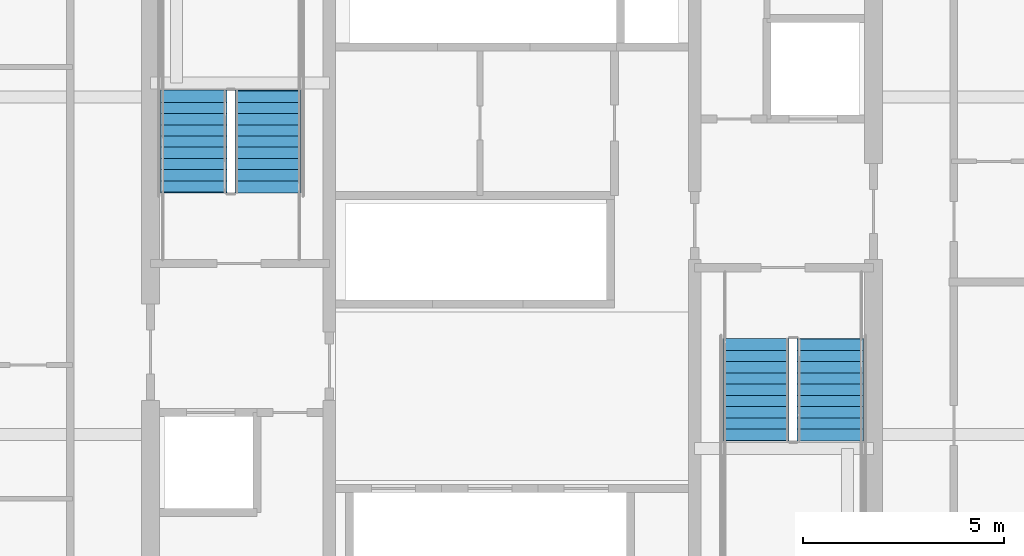
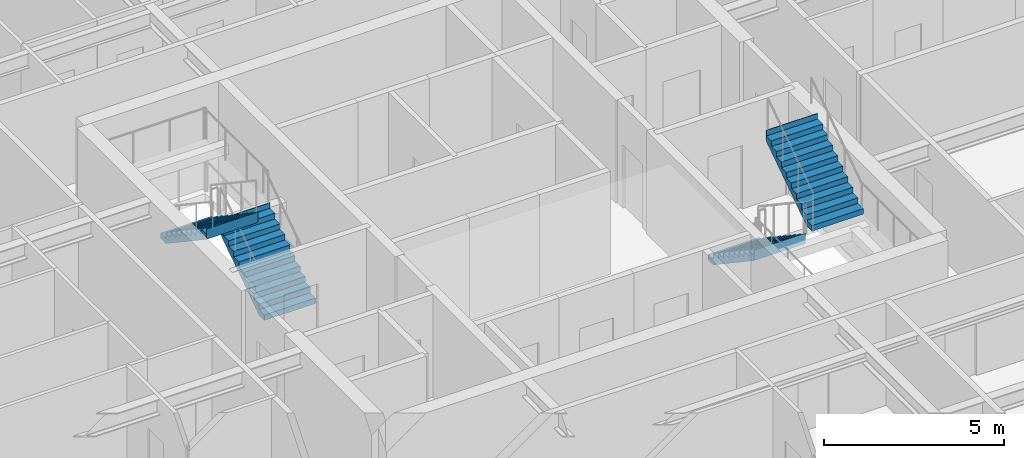
# One storey, part 32 of 38: 4 stair flights, 2 elements without a shape of their own.
"""IFC4 building model written with IfcOpenShell, lengths in metres."""

from ifc_helpers import new_model, si_unit, direction, frame, origin, place, context, subcontext, project, spatial, polygons, material, type_object, element, aggregate, save


model = new_model("IFC4")

# Units and contexts
model_context = context("Model", 3, precision=1e-05, world=origin(), true_north=direction((0.0, 1.0)))
body_context = subcontext(model_context, "Body", "Model", "MODEL_VIEW")
ifc_project = project(units=[si_unit("LENGTHUNIT", "METRE"), si_unit("AREAUNIT", "SQUARE_METRE"), si_unit("VOLUMEUNIT", "CUBIC_METRE"), si_unit("PLANEANGLEUNIT", "RADIAN"), si_unit("MASSUNIT", "GRAM", prefix="KILO")], contexts=[model_context])

# Site, building, storey
site_placement = place(None, origin())
site = spatial("IfcSite", under=ifc_project, at=site_placement, CompositionType="ELEMENT")
building_placement = place(site_placement, origin())
building = spatial("IfcBuilding", under=site, at=building_placement, Name="Serunith Strait Residences", CompositionType="ELEMENT")
storey_placement = place(building_placement, frame((0.0, 0.0, 52.949951171875)))
storey = spatial("IfcBuildingStorey", under=building, at=storey_placement, Name="L12", CompositionType="ELEMENT", Elevation=52.949951171875)

# Stair, stair flights
ifc_material = material(Name="Concrete C50/60", Category="concrete")
stair_type_1 = type_object("IfcStairType", Name="STR-CORE-1", PredefinedType="HALF_TURN_STAIR", material=ifc_material)
stair_1_placement = place(storey_placement, origin())
stair_1 = element("IfcStair", 1, at=stair_1_placement, inside=storey, type_object=stair_type_1, Name="L12 Protected Escape Stair ST-1", PredefinedType="HALF_TURN_STAIR")
stair_flight_type_1 = type_object("IfcStairFlightType", Name="FLT-CORE-1", PredefinedType="STRAIGHT", material=ifc_material)
stair_flight_1_placement = place(storey_placement, frame((26.324951171875, 27.030029296875, 0.0), z_axis=(0.0, 0.0, 1.0), x_axis=(0.0, 1.0, 0.0)))
stair_flight_1 = element("IfcStairFlight", 2, at=stair_flight_1_placement, type_object=stair_flight_type_1, Name="ST-1 flight 1", NumberOfRisers=10, NumberOfTreads=9, PredefinedType="STRAIGHT", RiserHeight=0.1875, TreadLength=0.28, context=body_context, shape_type="Tessellation", body=[
    polygons([(-0.02001953125, -0.824951171875, 0.0), (-0.02001953125, -0.824951171875, 0.1875), (0.280029296875, -0.824951171875, 0.1875), (0.280029296875, -0.824951171875, 0.375), (0.56005859375, -0.824951171875, 0.375), (0.56005859375, -0.824951171875, 0.5625), (0.840087890625, -0.824951171875, 0.5625), (0.840087890625, -0.824951171875, 0.75), (1.1201171875, -0.824951171875, 0.75), (1.1201171875, -0.824951171875, 0.9375), (1.39990234375, -0.824951171875, 0.9375), (1.39990234375, -0.824951171875, 1.125), (1.679931640625, -0.824951171875, 1.125), (1.679931640625, -0.824951171875, 1.3125), (1.9599609375, -0.824951171875, 1.3125), (1.9599609375, -0.824951171875, 1.5), (2.239990234375, -0.824951171875, 1.5), (2.239990234375, -0.824951171875, 1.6875), (2.52001953125, -0.824951171875, 1.6875), (2.52001953125, -0.824951171875, 1.875), (2.5400390625, -0.824951171875, 1.875), (2.5400390625, -0.824951171875, 1.81494140625), (2.52001953125, -0.824951171875, 1.507080078125), (0.26953125, -0.824951171875, 0.0), (-0.02001953125, -0.41259765625, 0.0), (-0.02001953125, -0.41259765625, 0.1875), (0.280029296875, -0.41259765625, 0.1875), (0.280029296875, -0.41259765625, 0.375), (0.56005859375, -0.41259765625, 0.375), (0.56005859375, -0.41259765625, 0.5625), (0.840087890625, -0.41259765625, 0.5625), (0.840087890625, -0.41259765625, 0.75), (1.1201171875, -0.41259765625, 0.75), (1.1201171875, -0.41259765625, 0.9375), (1.39990234375, -0.41259765625, 0.9375), (1.39990234375, -0.41259765625, 1.125), (1.679931640625, -0.41259765625, 1.125), (1.679931640625, -0.41259765625, 1.3125), (1.9599609375, -0.41259765625, 1.3125), (1.9599609375, -0.41259765625, 1.5), (2.239990234375, -0.41259765625, 1.5), (2.239990234375, -0.41259765625, 1.6875), (2.52001953125, -0.41259765625, 1.6875), (2.52001953125, -0.41259765625, 1.875), (2.5400390625, -0.41259765625, 1.875), (2.5400390625, -0.41259765625, 1.81494140625), (2.52001953125, -0.41259765625, 1.507080078125), (0.26953125, -0.41259765625, 0.0), (-0.02001953125, 0.0, 0.0), (-0.02001953125, 0.0, 0.1875), (0.280029296875, 0.0, 0.1875), (0.280029296875, 0.0, 0.375), (0.56005859375, 0.0, 0.375), (0.56005859375, 0.0, 0.5625), (0.840087890625, 0.0, 0.5625), (0.840087890625, 0.0, 0.75), (1.1201171875, 0.0, 0.75), (1.1201171875, 0.0, 0.9375), (1.39990234375, 0.0, 0.9375), (1.39990234375, 0.0, 1.125), (1.679931640625, 0.0, 1.125), (1.679931640625, 0.0, 1.3125), (1.9599609375, 0.0, 1.3125), (1.9599609375, 0.0, 1.5), (2.239990234375, 0.0, 1.5), (2.239990234375, 0.0, 1.6875), (2.52001953125, 0.0, 1.6875), (2.52001953125, 0.0, 1.875), (2.5400390625, 0.0, 1.875), (2.5400390625, 0.0, 1.81494140625), (2.52001953125, 0.0, 1.507080078125), (0.26953125, 0.0, 0.0), (-0.02001953125, 0.41259765625, 0.0), (-0.02001953125, 0.41259765625, 0.1875), (0.280029296875, 0.41259765625, 0.1875), (0.280029296875, 0.41259765625, 0.375), (0.56005859375, 0.41259765625, 0.375), (0.56005859375, 0.41259765625, 0.5625), (0.840087890625, 0.41259765625, 0.5625), (0.840087890625, 0.41259765625, 0.75), (1.1201171875, 0.41259765625, 0.75), (1.1201171875, 0.41259765625, 0.9375), (1.39990234375, 0.41259765625, 0.9375), (1.39990234375, 0.41259765625, 1.125), (1.679931640625, 0.41259765625, 1.125), (1.679931640625, 0.41259765625, 1.3125), (1.9599609375, 0.41259765625, 1.3125), (1.9599609375, 0.41259765625, 1.5), (2.239990234375, 0.41259765625, 1.5), (2.239990234375, 0.41259765625, 1.6875), (2.52001953125, 0.41259765625, 1.6875), (2.52001953125, 0.41259765625, 1.875), (2.5400390625, 0.41259765625, 1.875), (2.5400390625, 0.41259765625, 1.81494140625), (2.52001953125, 0.41259765625, 1.507080078125), (0.26953125, 0.41259765625, 0.0), (-0.02001953125, 0.824951171875, 0.0), (-0.02001953125, 0.824951171875, 0.1875), (0.280029296875, 0.824951171875, 0.1875), (0.280029296875, 0.824951171875, 0.375), (0.56005859375, 0.824951171875, 0.375), (0.56005859375, 0.824951171875, 0.5625), (0.840087890625, 0.824951171875, 0.5625), (0.840087890625, 0.824951171875, 0.75), (1.1201171875, 0.824951171875, 0.75), (1.1201171875, 0.824951171875, 0.9375), (1.39990234375, 0.824951171875, 0.9375), (1.39990234375, 0.824951171875, 1.125), (1.679931640625, 0.824951171875, 1.125), (1.679931640625, 0.824951171875, 1.3125), (1.9599609375, 0.824951171875, 1.3125), (1.9599609375, 0.824951171875, 1.5), (2.239990234375, 0.824951171875, 1.5), (2.239990234375, 0.824951171875, 1.6875), (2.52001953125, 0.824951171875, 1.6875), (2.52001953125, 0.824951171875, 1.875), (2.5400390625, 0.824951171875, 1.875), (2.5400390625, 0.824951171875, 1.81494140625), (2.52001953125, 0.824951171875, 1.507080078125), (0.26953125, 0.824951171875, 0.0)], [[[1, 2, 26, 25]], [[2, 3, 27, 26]], [[3, 4, 28, 27]], [[4, 5, 29, 28]], [[5, 6, 30, 29]], [[6, 7, 31, 30]], [[7, 8, 32, 31]], [[8, 9, 33, 32]], [[9, 10, 34, 33]], [[10, 11, 35, 34]], [[11, 12, 36, 35]], [[12, 13, 37, 36]], [[13, 14, 38, 37]], [[14, 15, 39, 38]], [[15, 16, 40, 39]], [[16, 17, 41, 40]], [[17, 18, 42, 41]], [[18, 19, 43, 42]], [[19, 20, 44, 43]], [[20, 21, 45, 44]], [[21, 22, 46, 45]], [[22, 23, 47, 46]], [[23, 24, 48, 47]], [[24, 1, 25, 48]], [[25, 26, 50, 49]], [[26, 27, 51, 50]], [[27, 28, 52, 51]], [[28, 29, 53, 52]], [[29, 30, 54, 53]], [[30, 31, 55, 54]], [[31, 32, 56, 55]], [[32, 33, 57, 56]], [[33, 34, 58, 57]], [[34, 35, 59, 58]], [[35, 36, 60, 59]], [[36, 37, 61, 60]], [[37, 38, 62, 61]], [[38, 39, 63, 62]], [[39, 40, 64, 63]], [[40, 41, 65, 64]], [[41, 42, 66, 65]], [[42, 43, 67, 66]], [[43, 44, 68, 67]], [[44, 45, 69, 68]], [[45, 46, 70, 69]], [[46, 47, 71, 70]], [[47, 48, 72, 71]], [[48, 25, 49, 72]], [[49, 50, 74, 73]], [[50, 51, 75, 74]], [[51, 52, 76, 75]], [[52, 53, 77, 76]], [[53, 54, 78, 77]], [[54, 55, 79, 78]], [[55, 56, 80, 79]], [[56, 57, 81, 80]], [[57, 58, 82, 81]], [[58, 59, 83, 82]], [[59, 60, 84, 83]], [[60, 61, 85, 84]], [[61, 62, 86, 85]], [[62, 63, 87, 86]], [[63, 64, 88, 87]], [[64, 65, 89, 88]], [[65, 66, 90, 89]], [[66, 67, 91, 90]], [[67, 68, 92, 91]], [[68, 69, 93, 92]], [[69, 70, 94, 93]], [[70, 71, 95, 94]], [[71, 72, 96, 95]], [[72, 49, 73, 96]], [[73, 74, 98, 97]], [[74, 75, 99, 98]], [[75, 76, 100, 99]], [[76, 77, 101, 100]], [[77, 78, 102, 101]], [[78, 79, 103, 102]], [[79, 80, 104, 103]], [[80, 81, 105, 104]], [[81, 82, 106, 105]], [[82, 83, 107, 106]], [[83, 84, 108, 107]], [[84, 85, 109, 108]], [[85, 86, 110, 109]], [[86, 87, 111, 110]], [[87, 88, 112, 111]], [[88, 89, 113, 112]], [[89, 90, 114, 113]], [[90, 91, 115, 114]], [[91, 92, 116, 115]], [[92, 93, 117, 116]], [[93, 94, 118, 117]], [[94, 95, 119, 118]], [[95, 96, 120, 119]], [[96, 73, 97, 120]], [[24, 23, 22, 21, 20, 19, 18, 17, 16, 15, 14, 13, 12, 11, 10, 9, 8, 7, 6, 5, 4, 3, 2, 1]], [[97, 98, 99, 100, 101, 102, 103, 104, 105, 106, 107, 108, 109, 110, 111, 112, 113, 114, 115, 116, 117, 118, 119, 120]]], closed=True),
])
stair_flight_2_placement = place(storey_placement, frame((24.47509765625, 29.550048828125, 1.875), z_axis=(0.0, 0.0, 1.0), x_axis=(0.0, -1.0, 0.0)))
stair_flight_2 = element("IfcStairFlight", 3, at=stair_flight_2_placement, type_object=stair_flight_type_1, Name="ST-1 flight 2", NumberOfRisers=10, NumberOfTreads=9, PredefinedType="STRAIGHT", RiserHeight=0.1875, TreadLength=0.28, context=body_context, shape_type="Tessellation", body=[
    polygons([(-0.02001953125, -0.824951171875, 0.0), (-0.02001953125, -0.824951171875, 0.1875), (0.280029296875, -0.824951171875, 0.1875), (0.280029296875, -0.824951171875, 0.375), (0.56005859375, -0.824951171875, 0.375), (0.56005859375, -0.824951171875, 0.5625), (0.840087890625, -0.824951171875, 0.5625), (0.840087890625, -0.824951171875, 0.75), (1.1201171875, -0.824951171875, 0.75), (1.1201171875, -0.824951171875, 0.9375), (1.39990234375, -0.824951171875, 0.9375), (1.39990234375, -0.824951171875, 1.125), (1.679931640625, -0.824951171875, 1.125), (1.679931640625, -0.824951171875, 1.3125), (1.9599609375, -0.824951171875, 1.3125), (1.9599609375, -0.824951171875, 1.5), (2.239990234375, -0.824951171875, 1.5), (2.239990234375, -0.824951171875, 1.6875), (2.52001953125, -0.824951171875, 1.6875), (2.52001953125, -0.824951171875, 1.875), (2.5400390625, -0.824951171875, 1.875), (2.5400390625, -0.824951171875, 1.81494140625), (2.52001953125, -0.824951171875, 1.507080078125), (0.26953125, -0.824951171875, 0.0), (-0.02001953125, -0.41259765625, 0.0), (-0.02001953125, -0.41259765625, 0.1875), (0.280029296875, -0.41259765625, 0.1875), (0.280029296875, -0.41259765625, 0.375), (0.56005859375, -0.41259765625, 0.375), (0.56005859375, -0.41259765625, 0.5625), (0.840087890625, -0.41259765625, 0.5625), (0.840087890625, -0.41259765625, 0.75), (1.1201171875, -0.41259765625, 0.75), (1.1201171875, -0.41259765625, 0.9375), (1.39990234375, -0.41259765625, 0.9375), (1.39990234375, -0.41259765625, 1.125), (1.679931640625, -0.41259765625, 1.125), (1.679931640625, -0.41259765625, 1.3125), (1.9599609375, -0.41259765625, 1.3125), (1.9599609375, -0.41259765625, 1.5), (2.239990234375, -0.41259765625, 1.5), (2.239990234375, -0.41259765625, 1.6875), (2.52001953125, -0.41259765625, 1.6875), (2.52001953125, -0.41259765625, 1.875), (2.5400390625, -0.41259765625, 1.875), (2.5400390625, -0.41259765625, 1.81494140625), (2.52001953125, -0.41259765625, 1.507080078125), (0.26953125, -0.41259765625, 0.0), (-0.02001953125, 0.0, 0.0), (-0.02001953125, 0.0, 0.1875), (0.280029296875, 0.0, 0.1875), (0.280029296875, 0.0, 0.375), (0.56005859375, 0.0, 0.375), (0.56005859375, 0.0, 0.5625), (0.840087890625, 0.0, 0.5625), (0.840087890625, 0.0, 0.75), (1.1201171875, 0.0, 0.75), (1.1201171875, 0.0, 0.9375), (1.39990234375, 0.0, 0.9375), (1.39990234375, 0.0, 1.125), (1.679931640625, 0.0, 1.125), (1.679931640625, 0.0, 1.3125), (1.9599609375, 0.0, 1.3125), (1.9599609375, 0.0, 1.5), (2.239990234375, 0.0, 1.5), (2.239990234375, 0.0, 1.6875), (2.52001953125, 0.0, 1.6875), (2.52001953125, 0.0, 1.875), (2.5400390625, 0.0, 1.875), (2.5400390625, 0.0, 1.81494140625), (2.52001953125, 0.0, 1.507080078125), (0.26953125, 0.0, 0.0), (-0.02001953125, 0.41259765625, 0.0), (-0.02001953125, 0.41259765625, 0.1875), (0.280029296875, 0.41259765625, 0.1875), (0.280029296875, 0.41259765625, 0.375), (0.56005859375, 0.41259765625, 0.375), (0.56005859375, 0.41259765625, 0.5625), (0.840087890625, 0.41259765625, 0.5625), (0.840087890625, 0.41259765625, 0.75), (1.1201171875, 0.41259765625, 0.75), (1.1201171875, 0.41259765625, 0.9375), (1.39990234375, 0.41259765625, 0.9375), (1.39990234375, 0.41259765625, 1.125), (1.679931640625, 0.41259765625, 1.125), (1.679931640625, 0.41259765625, 1.3125), (1.9599609375, 0.41259765625, 1.3125), (1.9599609375, 0.41259765625, 1.5), (2.239990234375, 0.41259765625, 1.5), (2.239990234375, 0.41259765625, 1.6875), (2.52001953125, 0.41259765625, 1.6875), (2.52001953125, 0.41259765625, 1.875), (2.5400390625, 0.41259765625, 1.875), (2.5400390625, 0.41259765625, 1.81494140625), (2.52001953125, 0.41259765625, 1.507080078125), (0.26953125, 0.41259765625, 0.0), (-0.02001953125, 0.824951171875, 0.0), (-0.02001953125, 0.824951171875, 0.1875), (0.280029296875, 0.824951171875, 0.1875), (0.280029296875, 0.824951171875, 0.375), (0.56005859375, 0.824951171875, 0.375), (0.56005859375, 0.824951171875, 0.5625), (0.840087890625, 0.824951171875, 0.5625), (0.840087890625, 0.824951171875, 0.75), (1.1201171875, 0.824951171875, 0.75), (1.1201171875, 0.824951171875, 0.9375), (1.39990234375, 0.824951171875, 0.9375), (1.39990234375, 0.824951171875, 1.125), (1.679931640625, 0.824951171875, 1.125), (1.679931640625, 0.824951171875, 1.3125), (1.9599609375, 0.824951171875, 1.3125), (1.9599609375, 0.824951171875, 1.5), (2.239990234375, 0.824951171875, 1.5), (2.239990234375, 0.824951171875, 1.6875), (2.52001953125, 0.824951171875, 1.6875), (2.52001953125, 0.824951171875, 1.875), (2.5400390625, 0.824951171875, 1.875), (2.5400390625, 0.824951171875, 1.81494140625), (2.52001953125, 0.824951171875, 1.507080078125), (0.26953125, 0.824951171875, 0.0)], [[[1, 2, 26, 25]], [[2, 3, 27, 26]], [[3, 4, 28, 27]], [[4, 5, 29, 28]], [[5, 6, 30, 29]], [[6, 7, 31, 30]], [[7, 8, 32, 31]], [[8, 9, 33, 32]], [[9, 10, 34, 33]], [[10, 11, 35, 34]], [[11, 12, 36, 35]], [[12, 13, 37, 36]], [[13, 14, 38, 37]], [[14, 15, 39, 38]], [[15, 16, 40, 39]], [[16, 17, 41, 40]], [[17, 18, 42, 41]], [[18, 19, 43, 42]], [[19, 20, 44, 43]], [[20, 21, 45, 44]], [[21, 22, 46, 45]], [[22, 23, 47, 46]], [[23, 24, 48, 47]], [[24, 1, 25, 48]], [[25, 26, 50, 49]], [[26, 27, 51, 50]], [[27, 28, 52, 51]], [[28, 29, 53, 52]], [[29, 30, 54, 53]], [[30, 31, 55, 54]], [[31, 32, 56, 55]], [[32, 33, 57, 56]], [[33, 34, 58, 57]], [[34, 35, 59, 58]], [[35, 36, 60, 59]], [[36, 37, 61, 60]], [[37, 38, 62, 61]], [[38, 39, 63, 62]], [[39, 40, 64, 63]], [[40, 41, 65, 64]], [[41, 42, 66, 65]], [[42, 43, 67, 66]], [[43, 44, 68, 67]], [[44, 45, 69, 68]], [[45, 46, 70, 69]], [[46, 47, 71, 70]], [[47, 48, 72, 71]], [[48, 25, 49, 72]], [[49, 50, 74, 73]], [[50, 51, 75, 74]], [[51, 52, 76, 75]], [[52, 53, 77, 76]], [[53, 54, 78, 77]], [[54, 55, 79, 78]], [[55, 56, 80, 79]], [[56, 57, 81, 80]], [[57, 58, 82, 81]], [[58, 59, 83, 82]], [[59, 60, 84, 83]], [[60, 61, 85, 84]], [[61, 62, 86, 85]], [[62, 63, 87, 86]], [[63, 64, 88, 87]], [[64, 65, 89, 88]], [[65, 66, 90, 89]], [[66, 67, 91, 90]], [[67, 68, 92, 91]], [[68, 69, 93, 92]], [[69, 70, 94, 93]], [[70, 71, 95, 94]], [[71, 72, 96, 95]], [[72, 49, 73, 96]], [[73, 74, 98, 97]], [[74, 75, 99, 98]], [[75, 76, 100, 99]], [[76, 77, 101, 100]], [[77, 78, 102, 101]], [[78, 79, 103, 102]], [[79, 80, 104, 103]], [[80, 81, 105, 104]], [[81, 82, 106, 105]], [[82, 83, 107, 106]], [[83, 84, 108, 107]], [[84, 85, 109, 108]], [[85, 86, 110, 109]], [[86, 87, 111, 110]], [[87, 88, 112, 111]], [[88, 89, 113, 112]], [[89, 90, 114, 113]], [[90, 91, 115, 114]], [[91, 92, 116, 115]], [[92, 93, 117, 116]], [[93, 94, 118, 117]], [[94, 95, 119, 118]], [[95, 96, 120, 119]], [[96, 73, 97, 120]], [[24, 23, 22, 21, 20, 19, 18, 17, 16, 15, 14, 13, 12, 11, 10, 9, 8, 7, 6, 5, 4, 3, 2, 1]], [[97, 98, 99, 100, 101, 102, 103, 104, 105, 106, 107, 108, 109, 110, 111, 112, 113, 114, 115, 116, 117, 118, 119, 120]]], closed=True),
])
aggregate(stair_1, [stair_flight_1, stair_flight_2])

stair_type_2 = type_object("IfcStairType", Name="STR-CORE-2", PredefinedType="HALF_TURN_STAIR", material=ifc_material)
stair_2_placement = place(storey_placement, origin())
stair_2 = element("IfcStair", 4, at=stair_2_placement, inside=storey, type_object=stair_type_2, Name="L12 Protected Escape Stair ST-2", PredefinedType="HALF_TURN_STAIR")
stair_flight_type_2 = type_object("IfcStairFlightType", Name="FLT-CORE-2", PredefinedType="STRAIGHT", material=ifc_material)
stair_flight_3_placement = place(storey_placement, frame((38.47509765625, 23.3701171875, 0.0), z_axis=(0.0, 0.0, 1.0), x_axis=(0.0, -1.0, 0.0)))
stair_flight_3 = element("IfcStairFlight", 5, at=stair_flight_3_placement, type_object=stair_flight_type_2, Name="ST-2 flight 1", NumberOfRisers=10, NumberOfTreads=9, PredefinedType="STRAIGHT", RiserHeight=0.1875, TreadLength=0.28, context=body_context, shape_type="Tessellation", body=[
    polygons([(-0.02001953125, -0.824951171875, 0.0), (-0.02001953125, -0.824951171875, 0.1875), (0.280029296875, -0.824951171875, 0.1875), (0.280029296875, -0.824951171875, 0.375), (0.56005859375, -0.824951171875, 0.375), (0.56005859375, -0.824951171875, 0.5625), (0.840087890625, -0.824951171875, 0.5625), (0.840087890625, -0.824951171875, 0.75), (1.1201171875, -0.824951171875, 0.75), (1.1201171875, -0.824951171875, 0.9375), (1.39990234375, -0.824951171875, 0.9375), (1.39990234375, -0.824951171875, 1.125), (1.679931640625, -0.824951171875, 1.125), (1.679931640625, -0.824951171875, 1.3125), (1.9599609375, -0.824951171875, 1.3125), (1.9599609375, -0.824951171875, 1.5), (2.239990234375, -0.824951171875, 1.5), (2.239990234375, -0.824951171875, 1.6875), (2.52001953125, -0.824951171875, 1.6875), (2.52001953125, -0.824951171875, 1.875), (2.5400390625, -0.824951171875, 1.875), (2.5400390625, -0.824951171875, 1.81494140625), (2.52001953125, -0.824951171875, 1.507080078125), (0.26953125, -0.824951171875, 0.0), (-0.02001953125, -0.41259765625, 0.0), (-0.02001953125, -0.41259765625, 0.1875), (0.280029296875, -0.41259765625, 0.1875), (0.280029296875, -0.41259765625, 0.375), (0.56005859375, -0.41259765625, 0.375), (0.56005859375, -0.41259765625, 0.5625), (0.840087890625, -0.41259765625, 0.5625), (0.840087890625, -0.41259765625, 0.75), (1.1201171875, -0.41259765625, 0.75), (1.1201171875, -0.41259765625, 0.9375), (1.39990234375, -0.41259765625, 0.9375), (1.39990234375, -0.41259765625, 1.125), (1.679931640625, -0.41259765625, 1.125), (1.679931640625, -0.41259765625, 1.3125), (1.9599609375, -0.41259765625, 1.3125), (1.9599609375, -0.41259765625, 1.5), (2.239990234375, -0.41259765625, 1.5), (2.239990234375, -0.41259765625, 1.6875), (2.52001953125, -0.41259765625, 1.6875), (2.52001953125, -0.41259765625, 1.875), (2.5400390625, -0.41259765625, 1.875), (2.5400390625, -0.41259765625, 1.81494140625), (2.52001953125, -0.41259765625, 1.507080078125), (0.26953125, -0.41259765625, 0.0), (-0.02001953125, 0.0, 0.0), (-0.02001953125, 0.0, 0.1875), (0.280029296875, 0.0, 0.1875), (0.280029296875, 0.0, 0.375), (0.56005859375, 0.0, 0.375), (0.56005859375, 0.0, 0.5625), (0.840087890625, 0.0, 0.5625), (0.840087890625, 0.0, 0.75), (1.1201171875, 0.0, 0.75), (1.1201171875, 0.0, 0.9375), (1.39990234375, 0.0, 0.9375), (1.39990234375, 0.0, 1.125), (1.679931640625, 0.0, 1.125), (1.679931640625, 0.0, 1.3125), (1.9599609375, 0.0, 1.3125), (1.9599609375, 0.0, 1.5), (2.239990234375, 0.0, 1.5), (2.239990234375, 0.0, 1.6875), (2.52001953125, 0.0, 1.6875), (2.52001953125, 0.0, 1.875), (2.5400390625, 0.0, 1.875), (2.5400390625, 0.0, 1.81494140625), (2.52001953125, 0.0, 1.507080078125), (0.26953125, 0.0, 0.0), (-0.02001953125, 0.41259765625, 0.0), (-0.02001953125, 0.41259765625, 0.1875), (0.280029296875, 0.41259765625, 0.1875), (0.280029296875, 0.41259765625, 0.375), (0.56005859375, 0.41259765625, 0.375), (0.56005859375, 0.41259765625, 0.5625), (0.840087890625, 0.41259765625, 0.5625), (0.840087890625, 0.41259765625, 0.75), (1.1201171875, 0.41259765625, 0.75), (1.1201171875, 0.41259765625, 0.9375), (1.39990234375, 0.41259765625, 0.9375), (1.39990234375, 0.41259765625, 1.125), (1.679931640625, 0.41259765625, 1.125), (1.679931640625, 0.41259765625, 1.3125), (1.9599609375, 0.41259765625, 1.3125), (1.9599609375, 0.41259765625, 1.5), (2.239990234375, 0.41259765625, 1.5), (2.239990234375, 0.41259765625, 1.6875), (2.52001953125, 0.41259765625, 1.6875), (2.52001953125, 0.41259765625, 1.875), (2.5400390625, 0.41259765625, 1.875), (2.5400390625, 0.41259765625, 1.81494140625), (2.52001953125, 0.41259765625, 1.507080078125), (0.26953125, 0.41259765625, 0.0), (-0.02001953125, 0.824951171875, 0.0), (-0.02001953125, 0.824951171875, 0.1875), (0.280029296875, 0.824951171875, 0.1875), (0.280029296875, 0.824951171875, 0.375), (0.56005859375, 0.824951171875, 0.375), (0.56005859375, 0.824951171875, 0.5625), (0.840087890625, 0.824951171875, 0.5625), (0.840087890625, 0.824951171875, 0.75), (1.1201171875, 0.824951171875, 0.75), (1.1201171875, 0.824951171875, 0.9375), (1.39990234375, 0.824951171875, 0.9375), (1.39990234375, 0.824951171875, 1.125), (1.679931640625, 0.824951171875, 1.125), (1.679931640625, 0.824951171875, 1.3125), (1.9599609375, 0.824951171875, 1.3125), (1.9599609375, 0.824951171875, 1.5), (2.239990234375, 0.824951171875, 1.5), (2.239990234375, 0.824951171875, 1.6875), (2.52001953125, 0.824951171875, 1.6875), (2.52001953125, 0.824951171875, 1.875), (2.5400390625, 0.824951171875, 1.875), (2.5400390625, 0.824951171875, 1.81494140625), (2.52001953125, 0.824951171875, 1.507080078125), (0.26953125, 0.824951171875, 0.0)], [[[1, 2, 26, 25]], [[2, 3, 27, 26]], [[3, 4, 28, 27]], [[4, 5, 29, 28]], [[5, 6, 30, 29]], [[6, 7, 31, 30]], [[7, 8, 32, 31]], [[8, 9, 33, 32]], [[9, 10, 34, 33]], [[10, 11, 35, 34]], [[11, 12, 36, 35]], [[12, 13, 37, 36]], [[13, 14, 38, 37]], [[14, 15, 39, 38]], [[15, 16, 40, 39]], [[16, 17, 41, 40]], [[17, 18, 42, 41]], [[18, 19, 43, 42]], [[19, 20, 44, 43]], [[20, 21, 45, 44]], [[21, 22, 46, 45]], [[22, 23, 47, 46]], [[23, 24, 48, 47]], [[24, 1, 25, 48]], [[25, 26, 50, 49]], [[26, 27, 51, 50]], [[27, 28, 52, 51]], [[28, 29, 53, 52]], [[29, 30, 54, 53]], [[30, 31, 55, 54]], [[31, 32, 56, 55]], [[32, 33, 57, 56]], [[33, 34, 58, 57]], [[34, 35, 59, 58]], [[35, 36, 60, 59]], [[36, 37, 61, 60]], [[37, 38, 62, 61]], [[38, 39, 63, 62]], [[39, 40, 64, 63]], [[40, 41, 65, 64]], [[41, 42, 66, 65]], [[42, 43, 67, 66]], [[43, 44, 68, 67]], [[44, 45, 69, 68]], [[45, 46, 70, 69]], [[46, 47, 71, 70]], [[47, 48, 72, 71]], [[48, 25, 49, 72]], [[49, 50, 74, 73]], [[50, 51, 75, 74]], [[51, 52, 76, 75]], [[52, 53, 77, 76]], [[53, 54, 78, 77]], [[54, 55, 79, 78]], [[55, 56, 80, 79]], [[56, 57, 81, 80]], [[57, 58, 82, 81]], [[58, 59, 83, 82]], [[59, 60, 84, 83]], [[60, 61, 85, 84]], [[61, 62, 86, 85]], [[62, 63, 87, 86]], [[63, 64, 88, 87]], [[64, 65, 89, 88]], [[65, 66, 90, 89]], [[66, 67, 91, 90]], [[67, 68, 92, 91]], [[68, 69, 93, 92]], [[69, 70, 94, 93]], [[70, 71, 95, 94]], [[71, 72, 96, 95]], [[72, 49, 73, 96]], [[73, 74, 98, 97]], [[74, 75, 99, 98]], [[75, 76, 100, 99]], [[76, 77, 101, 100]], [[77, 78, 102, 101]], [[78, 79, 103, 102]], [[79, 80, 104, 103]], [[80, 81, 105, 104]], [[81, 82, 106, 105]], [[82, 83, 107, 106]], [[83, 84, 108, 107]], [[84, 85, 109, 108]], [[85, 86, 110, 109]], [[86, 87, 111, 110]], [[87, 88, 112, 111]], [[88, 89, 113, 112]], [[89, 90, 114, 113]], [[90, 91, 115, 114]], [[91, 92, 116, 115]], [[92, 93, 117, 116]], [[93, 94, 118, 117]], [[94, 95, 119, 118]], [[95, 96, 120, 119]], [[96, 73, 97, 120]], [[24, 23, 22, 21, 20, 19, 18, 17, 16, 15, 14, 13, 12, 11, 10, 9, 8, 7, 6, 5, 4, 3, 2, 1]], [[97, 98, 99, 100, 101, 102, 103, 104, 105, 106, 107, 108, 109, 110, 111, 112, 113, 114, 115, 116, 117, 118, 119, 120]]], closed=True),
])
stair_flight_4_placement = place(storey_placement, frame((40.324951171875, 20.85009765625, 1.875), z_axis=(0.0, 0.0, 1.0), x_axis=(0.0, 1.0, 0.0)))
stair_flight_4 = element("IfcStairFlight", 6, at=stair_flight_4_placement, type_object=stair_flight_type_2, Name="ST-2 flight 2", NumberOfRisers=10, NumberOfTreads=9, PredefinedType="STRAIGHT", RiserHeight=0.1875, TreadLength=0.28, context=body_context, shape_type="Tessellation", body=[
    polygons([(-0.02001953125, -0.824951171875, 0.0), (-0.02001953125, -0.824951171875, 0.1875), (0.280029296875, -0.824951171875, 0.1875), (0.280029296875, -0.824951171875, 0.375), (0.56005859375, -0.824951171875, 0.375), (0.56005859375, -0.824951171875, 0.5625), (0.840087890625, -0.824951171875, 0.5625), (0.840087890625, -0.824951171875, 0.75), (1.1201171875, -0.824951171875, 0.75), (1.1201171875, -0.824951171875, 0.9375), (1.39990234375, -0.824951171875, 0.9375), (1.39990234375, -0.824951171875, 1.125), (1.679931640625, -0.824951171875, 1.125), (1.679931640625, -0.824951171875, 1.3125), (1.9599609375, -0.824951171875, 1.3125), (1.9599609375, -0.824951171875, 1.5), (2.239990234375, -0.824951171875, 1.5), (2.239990234375, -0.824951171875, 1.6875), (2.52001953125, -0.824951171875, 1.6875), (2.52001953125, -0.824951171875, 1.875), (2.5400390625, -0.824951171875, 1.875), (2.5400390625, -0.824951171875, 1.81494140625), (2.52001953125, -0.824951171875, 1.507080078125), (0.26953125, -0.824951171875, 0.0), (-0.02001953125, -0.41259765625, 0.0), (-0.02001953125, -0.41259765625, 0.1875), (0.280029296875, -0.41259765625, 0.1875), (0.280029296875, -0.41259765625, 0.375), (0.56005859375, -0.41259765625, 0.375), (0.56005859375, -0.41259765625, 0.5625), (0.840087890625, -0.41259765625, 0.5625), (0.840087890625, -0.41259765625, 0.75), (1.1201171875, -0.41259765625, 0.75), (1.1201171875, -0.41259765625, 0.9375), (1.39990234375, -0.41259765625, 0.9375), (1.39990234375, -0.41259765625, 1.125), (1.679931640625, -0.41259765625, 1.125), (1.679931640625, -0.41259765625, 1.3125), (1.9599609375, -0.41259765625, 1.3125), (1.9599609375, -0.41259765625, 1.5), (2.239990234375, -0.41259765625, 1.5), (2.239990234375, -0.41259765625, 1.6875), (2.52001953125, -0.41259765625, 1.6875), (2.52001953125, -0.41259765625, 1.875), (2.5400390625, -0.41259765625, 1.875), (2.5400390625, -0.41259765625, 1.81494140625), (2.52001953125, -0.41259765625, 1.507080078125), (0.26953125, -0.41259765625, 0.0), (-0.02001953125, 0.0, 0.0), (-0.02001953125, 0.0, 0.1875), (0.280029296875, 0.0, 0.1875), (0.280029296875, 0.0, 0.375), (0.56005859375, 0.0, 0.375), (0.56005859375, 0.0, 0.5625), (0.840087890625, 0.0, 0.5625), (0.840087890625, 0.0, 0.75), (1.1201171875, 0.0, 0.75), (1.1201171875, 0.0, 0.9375), (1.39990234375, 0.0, 0.9375), (1.39990234375, 0.0, 1.125), (1.679931640625, 0.0, 1.125), (1.679931640625, 0.0, 1.3125), (1.9599609375, 0.0, 1.3125), (1.9599609375, 0.0, 1.5), (2.239990234375, 0.0, 1.5), (2.239990234375, 0.0, 1.6875), (2.52001953125, 0.0, 1.6875), (2.52001953125, 0.0, 1.875), (2.5400390625, 0.0, 1.875), (2.5400390625, 0.0, 1.81494140625), (2.52001953125, 0.0, 1.507080078125), (0.26953125, 0.0, 0.0), (-0.02001953125, 0.41259765625, 0.0), (-0.02001953125, 0.41259765625, 0.1875), (0.280029296875, 0.41259765625, 0.1875), (0.280029296875, 0.41259765625, 0.375), (0.56005859375, 0.41259765625, 0.375), (0.56005859375, 0.41259765625, 0.5625), (0.840087890625, 0.41259765625, 0.5625), (0.840087890625, 0.41259765625, 0.75), (1.1201171875, 0.41259765625, 0.75), (1.1201171875, 0.41259765625, 0.9375), (1.39990234375, 0.41259765625, 0.9375), (1.39990234375, 0.41259765625, 1.125), (1.679931640625, 0.41259765625, 1.125), (1.679931640625, 0.41259765625, 1.3125), (1.9599609375, 0.41259765625, 1.3125), (1.9599609375, 0.41259765625, 1.5), (2.239990234375, 0.41259765625, 1.5), (2.239990234375, 0.41259765625, 1.6875), (2.52001953125, 0.41259765625, 1.6875), (2.52001953125, 0.41259765625, 1.875), (2.5400390625, 0.41259765625, 1.875), (2.5400390625, 0.41259765625, 1.81494140625), (2.52001953125, 0.41259765625, 1.507080078125), (0.26953125, 0.41259765625, 0.0), (-0.02001953125, 0.824951171875, 0.0), (-0.02001953125, 0.824951171875, 0.1875), (0.280029296875, 0.824951171875, 0.1875), (0.280029296875, 0.824951171875, 0.375), (0.56005859375, 0.824951171875, 0.375), (0.56005859375, 0.824951171875, 0.5625), (0.840087890625, 0.824951171875, 0.5625), (0.840087890625, 0.824951171875, 0.75), (1.1201171875, 0.824951171875, 0.75), (1.1201171875, 0.824951171875, 0.9375), (1.39990234375, 0.824951171875, 0.9375), (1.39990234375, 0.824951171875, 1.125), (1.679931640625, 0.824951171875, 1.125), (1.679931640625, 0.824951171875, 1.3125), (1.9599609375, 0.824951171875, 1.3125), (1.9599609375, 0.824951171875, 1.5), (2.239990234375, 0.824951171875, 1.5), (2.239990234375, 0.824951171875, 1.6875), (2.52001953125, 0.824951171875, 1.6875), (2.52001953125, 0.824951171875, 1.875), (2.5400390625, 0.824951171875, 1.875), (2.5400390625, 0.824951171875, 1.81494140625), (2.52001953125, 0.824951171875, 1.507080078125), (0.26953125, 0.824951171875, 0.0)], [[[1, 2, 26, 25]], [[2, 3, 27, 26]], [[3, 4, 28, 27]], [[4, 5, 29, 28]], [[5, 6, 30, 29]], [[6, 7, 31, 30]], [[7, 8, 32, 31]], [[8, 9, 33, 32]], [[9, 10, 34, 33]], [[10, 11, 35, 34]], [[11, 12, 36, 35]], [[12, 13, 37, 36]], [[13, 14, 38, 37]], [[14, 15, 39, 38]], [[15, 16, 40, 39]], [[16, 17, 41, 40]], [[17, 18, 42, 41]], [[18, 19, 43, 42]], [[19, 20, 44, 43]], [[20, 21, 45, 44]], [[21, 22, 46, 45]], [[22, 23, 47, 46]], [[23, 24, 48, 47]], [[24, 1, 25, 48]], [[25, 26, 50, 49]], [[26, 27, 51, 50]], [[27, 28, 52, 51]], [[28, 29, 53, 52]], [[29, 30, 54, 53]], [[30, 31, 55, 54]], [[31, 32, 56, 55]], [[32, 33, 57, 56]], [[33, 34, 58, 57]], [[34, 35, 59, 58]], [[35, 36, 60, 59]], [[36, 37, 61, 60]], [[37, 38, 62, 61]], [[38, 39, 63, 62]], [[39, 40, 64, 63]], [[40, 41, 65, 64]], [[41, 42, 66, 65]], [[42, 43, 67, 66]], [[43, 44, 68, 67]], [[44, 45, 69, 68]], [[45, 46, 70, 69]], [[46, 47, 71, 70]], [[47, 48, 72, 71]], [[48, 25, 49, 72]], [[49, 50, 74, 73]], [[50, 51, 75, 74]], [[51, 52, 76, 75]], [[52, 53, 77, 76]], [[53, 54, 78, 77]], [[54, 55, 79, 78]], [[55, 56, 80, 79]], [[56, 57, 81, 80]], [[57, 58, 82, 81]], [[58, 59, 83, 82]], [[59, 60, 84, 83]], [[60, 61, 85, 84]], [[61, 62, 86, 85]], [[62, 63, 87, 86]], [[63, 64, 88, 87]], [[64, 65, 89, 88]], [[65, 66, 90, 89]], [[66, 67, 91, 90]], [[67, 68, 92, 91]], [[68, 69, 93, 92]], [[69, 70, 94, 93]], [[70, 71, 95, 94]], [[71, 72, 96, 95]], [[72, 49, 73, 96]], [[73, 74, 98, 97]], [[74, 75, 99, 98]], [[75, 76, 100, 99]], [[76, 77, 101, 100]], [[77, 78, 102, 101]], [[78, 79, 103, 102]], [[79, 80, 104, 103]], [[80, 81, 105, 104]], [[81, 82, 106, 105]], [[82, 83, 107, 106]], [[83, 84, 108, 107]], [[84, 85, 109, 108]], [[85, 86, 110, 109]], [[86, 87, 111, 110]], [[87, 88, 112, 111]], [[88, 89, 113, 112]], [[89, 90, 114, 113]], [[90, 91, 115, 114]], [[91, 92, 116, 115]], [[92, 93, 117, 116]], [[93, 94, 118, 117]], [[94, 95, 119, 118]], [[95, 96, 120, 119]], [[96, 73, 97, 120]], [[24, 23, 22, 21, 20, 19, 18, 17, 16, 15, 14, 13, 12, 11, 10, 9, 8, 7, 6, 5, 4, 3, 2, 1]], [[97, 98, 99, 100, 101, 102, 103, 104, 105, 106, 107, 108, 109, 110, 111, 112, 113, 114, 115, 116, 117, 118, 119, 120]]], closed=True),
])
aggregate(stair_2, [stair_flight_3, stair_flight_4])

save(model, "model.ifc")
